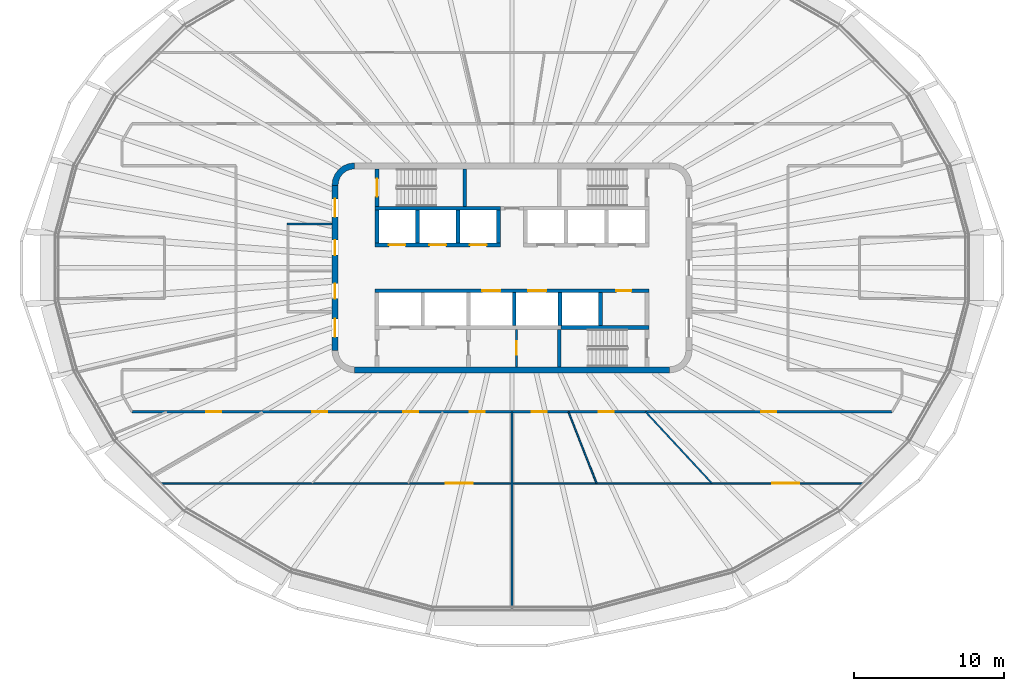
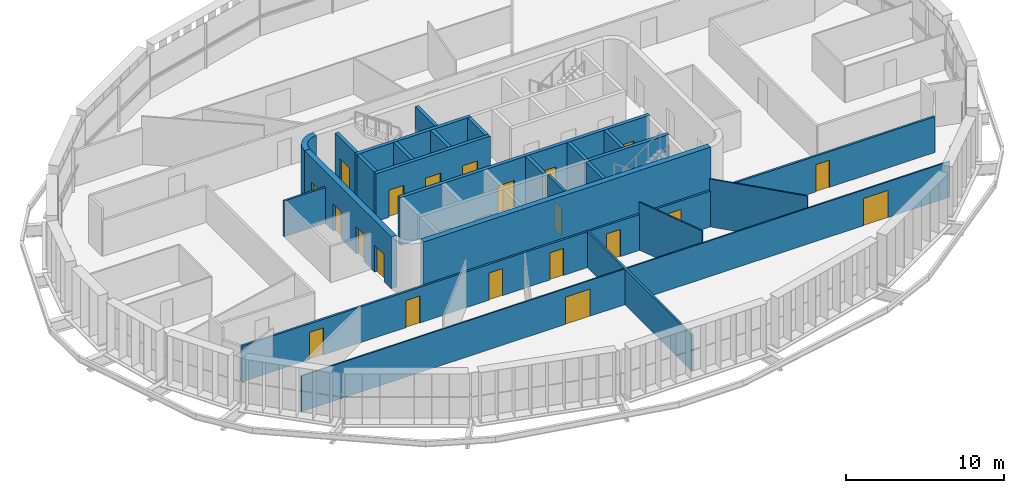
# One storey, part 11 of 20: 24 walls, 21 doors, 21 openings.
"""IFC4 building model written with IfcOpenShell, lengths in metres."""

from ifc_helpers import new_model, si_unit, direction, frame, frame_2d, origin, place, context, subcontext, project, spatial, polyline, rectangle, outline, extrude, material, layer, layer_set, type_object, element, fill, save


model = new_model("IFC4")

# Units and contexts
model_context = context("Model", 3, precision=1e-05, world=origin(), true_north=direction((0.0, 1.0)))
body_context = subcontext(model_context, "Body", "Model", "MODEL_VIEW")
ifc_project = project(units=[si_unit("LENGTHUNIT", "METRE"), si_unit("AREAUNIT", "SQUARE_METRE"), si_unit("VOLUMEUNIT", "CUBIC_METRE"), si_unit("PLANEANGLEUNIT", "RADIAN"), si_unit("MASSUNIT", "GRAM", prefix="KILO")], contexts=[model_context])

# Site, building, storey
site_placement = place(None, origin())
site = spatial("IfcSite", under=ifc_project, at=site_placement, CompositionType="ELEMENT")
building_placement = place(site_placement, origin())
building = spatial("IfcBuilding", under=site, at=building_placement, Name="Sahrelin Media Tower", CompositionType="ELEMENT")
storey_placement = place(building_placement, frame((0.0, 0.0, 245.60009765625)))
storey = spatial("IfcBuildingStorey", under=building, at=storey_placement, Name="L53", CompositionType="ELEMENT", Elevation=245.60009765625)

# Wall
ifc_material_1 = material(Name="Concrete C60/75", Category="concrete")
ifc_layer_1 = layer(ifc_material_1, 0.39990234375)
ifc_layer_set_1 = layer_set([ifc_layer_1], Name="Core wall 400")
wall_type_1 = type_object("IfcWallType", Name="Core wall 400", PredefinedType="SHEAR", material=ifc_layer_set_1)
wall_1_placement = place(storey_placement, frame((-10.5, -6.800048828125, 0.0), z_axis=(0.0, 0.0, 1.0), x_axis=(1.0, 0.0, 0.0)))
element("IfcWall", 1, at=wall_1_placement, inside=storey, type_object=wall_type_1, Name="Core wall S L53", PredefinedType="SHEAR", context=body_context, shape_type="SweptSolid", body=[
    extrude(rectangle(XDim=21.0, YDim=0.39990234375, at=frame_2d((10.5, 0.0))), origin(), (0.0, 0.0, 1.0), 4.0),
])

# Wall, openings, doors
wall_2_placement = place(storey_placement, frame((-11.800048828125, -5.5, 0.0), z_axis=(0.0, 0.0, 1.0), x_axis=(0.0, 1.0, 0.0)))
wall_2 = element("IfcWall", 2, at=wall_2_placement, inside=storey, type_object=wall_type_1, Name="Core wall W L53", PredefinedType="SHEAR", context=body_context, shape_type="SweptSolid", body=[
    extrude(rectangle(XDim=11.0, YDim=0.39990234375, at=frame_2d((5.5, 0.0))), origin(), (0.0, 0.0, 1.0), 4.0),
])
opening_1_placement = place(wall_2_placement, frame((3.449951171875, 0.0, 0.0)))
opening_1 = element("IfcOpeningElement", 3, at=opening_1_placement, cuts=wall_2, Name="Opening L53-D09", PredefinedType="OPENING", context=body_context, shape_type="SweptSolid", body=[
    extrude(rectangle(XDim=1.0, YDim=2.10009765625, at=frame_2d((0.5, 1.050048828125))), frame((0.0, 0.199951171875, 0.0), z_axis=(0.0, -1.0, 0.0), x_axis=(1.0, 0.0, 0.0)), (0.0, 0.0, 1.0), 0.39990234375),
])
opening_2_placement = place(wall_2_placement, frame((6.35009765625, 0.0, 0.0)))
opening_2 = element("IfcOpeningElement", 4, at=opening_2_placement, cuts=wall_2, Name="Opening L53-D10", PredefinedType="OPENING", context=body_context, shape_type="SweptSolid", body=[
    extrude(rectangle(XDim=1.0, YDim=2.10009765625, at=frame_2d((0.5, 1.050048828125))), frame((0.0, 0.199951171875, 0.0), z_axis=(0.0, -1.0, 0.0), x_axis=(1.0, 0.0, 0.0)), (0.0, 0.0, 1.0), 0.39990234375),
])
opening_3_placement = place(wall_2_placement, frame((0.89990234375, 0.0, 0.0)))
opening_3 = element("IfcOpeningElement", 5, at=opening_3_placement, cuts=wall_2, Name="Opening L53-D12", PredefinedType="OPENING", context=body_context, shape_type="SweptSolid", body=[
    extrude(rectangle(XDim=1.199951171875, YDim=2.10009765625, at=frame_2d((0.60009765625, 1.050048828125))), frame((0.0, 0.199951171875, 0.0), z_axis=(0.0, -1.0, 0.0), x_axis=(1.0, 0.0, 0.0)), (0.0, 0.0, 1.0), 0.39990234375),
])
opening_4_placement = place(wall_2_placement, frame((8.89990234375, 0.0, 0.0)))
opening_4 = element("IfcOpeningElement", 6, at=opening_4_placement, cuts=wall_2, Name="Opening L53-D13", PredefinedType="OPENING", context=body_context, shape_type="SweptSolid", body=[
    extrude(rectangle(XDim=1.199951171875, YDim=2.10009765625, at=frame_2d((0.60009765625, 1.050048828125))), frame((0.0, 0.199951171875, 0.0), z_axis=(0.0, -1.0, 0.0), x_axis=(1.0, 0.0, 0.0)), (0.0, 0.0, 1.0), 0.39990234375),
])
ifc_material_2 = material(Name="Steel fire door leaf", Category="steel")
door_type_1 = type_object("IfcDoorType", Name="Fire door 1000 x 2100 EI 60", OperationType="NOTDEFINED", PredefinedType="DOOR", material=ifc_material_2)
door_1_placement = place(opening_1_placement, origin())
door_1 = element("IfcDoor", 7, at=door_1_placement, inside=storey, type_object=door_type_1, Name="Core room door", OperationType="SINGLE_SWING_RIGHT", OverallHeight=2.10009765625, OverallWidth=1.0, PredefinedType="DOOR", context=body_context, shape_type="SweptSolid", body=[
    extrude(rectangle(XDim=1.0, YDim=2.10009765625, at=frame_2d((0.5, 1.050048828125))), frame((0.0, 0.02490234375, 0.0), z_axis=(0.0, -1.0, 0.0), x_axis=(1.0, 0.0, 0.0)), (0.0, 0.0, 1.0), 0.050048828125),
])
fill(opening_1, door_1)
door_2_placement = place(opening_2_placement, origin())
door_2 = element("IfcDoor", 8, at=door_2_placement, inside=storey, type_object=door_type_1, Name="Core room door", OperationType="SINGLE_SWING_RIGHT", OverallHeight=2.10009765625, OverallWidth=1.0, PredefinedType="DOOR", context=body_context, shape_type="SweptSolid", body=[
    extrude(rectangle(XDim=1.0, YDim=2.10009765625, at=frame_2d((0.5, 1.050048828125))), frame((0.0, 0.02490234375, 0.0), z_axis=(0.0, -1.0, 0.0), x_axis=(1.0, 0.0, 0.0)), (0.0, 0.0, 1.0), 0.050048828125),
])
fill(opening_2, door_2)
door_type_2 = type_object("IfcDoorType", Name="Lobby door 1200 x 2100 EI 60", OperationType="NOTDEFINED", PredefinedType="DOOR", material=ifc_material_2)
door_3_placement = place(opening_3_placement, origin())
door_3 = element("IfcDoor", 9, at=door_3_placement, inside=storey, type_object=door_type_2, Name="Lobby door", OperationType="SINGLE_SWING_LEFT", OverallHeight=2.10009765625, OverallWidth=1.199951171875, PredefinedType="DOOR", context=body_context, shape_type="SweptSolid", body=[
    extrude(rectangle(XDim=1.199951171875, YDim=2.10009765625, at=frame_2d((0.60009765625, 1.050048828125))), frame((0.0, 0.02490234375, 0.0), z_axis=(0.0, -1.0, 0.0), x_axis=(1.0, 0.0, 0.0)), (0.0, 0.0, 1.0), 0.050048828125),
])
fill(opening_3, door_3)
door_4_placement = place(opening_4_placement, origin())
door_4 = element("IfcDoor", 10, at=door_4_placement, inside=storey, type_object=door_type_2, Name="Lobby door", OperationType="SINGLE_SWING_LEFT", OverallHeight=2.10009765625, OverallWidth=1.199951171875, PredefinedType="DOOR", context=body_context, shape_type="SweptSolid", body=[
    extrude(rectangle(XDim=1.199951171875, YDim=2.10009765625, at=frame_2d((0.60009765625, 1.050048828125))), frame((0.0, 0.02490234375, 0.0), z_axis=(0.0, -1.0, 0.0), x_axis=(1.0, 0.0, 0.0)), (0.0, 0.0, 1.0), 0.050048828125),
])
fill(opening_4, door_4)

# Wall
wall_3_placement = place(storey_placement, origin())
element("IfcWall", 11, at=wall_3_placement, inside=storey, type_object=wall_type_1, Name="Core wall corner NW L53", PredefinedType="SHEAR", context=body_context, shape_type="SweptSolid", body=[
    extrude(outline(polyline([(-12.0, 5.5), (-11.596435546875, 5.5), (-11.55908203125, 5.78369140625), (-11.44970703125, 6.04833984375), (-11.275390625, 6.275390625), (-11.04833984375, 6.44970703125), (-10.78369140625, 6.55908203125), (-10.5, 6.596435546875), (-10.5, 7.0), (-10.88818359375, 6.948974609375), (-11.25, 6.799072265625), (-11.560791015625, 6.560791015625), (-11.799072265625, 6.25), (-11.948974609375, 5.88818359375), (-12.0, 5.5)])), origin(), (0.0, 0.0, 1.0), 4.0),
])

# Wall, opening, door
ifc_material_3 = material(Name="Fire-rated gypsum board partition")
ifc_layer_2 = layer(ifc_material_3, 0.14990234375)
ifc_layer_set_2 = layer_set([ifc_layer_2], Name="Fire-rated partition 150")
wall_type_2 = type_object("IfcWallType", Name="Fire-rated partition 150", PredefinedType="PARTITIONING", material=ifc_layer_set_2)
wall_4_placement = place(storey_placement, frame((0.300048828125, -6.60009765625, 0.0), z_axis=(0.0, 0.0, 1.0), x_axis=(0.0, 1.0, 0.0)))
wall_4 = element("IfcWall", 12, at=wall_4_placement, inside=storey, type_object=wall_type_2, Name="Core room fire partition", PredefinedType="PARTITIONING", context=body_context, shape_type="SweptSolid", body=[
    extrude(rectangle(XDim=2.5, YDim=0.14990234375, at=frame_2d((1.25, 0.0))), origin(), (0.0, 0.0, 1.0), 3.699951171875),
])
opening_5_placement = place(wall_4_placement, frame((0.800048828125, 0.0, 0.0)))
opening_5 = element("IfcOpeningElement", 13, at=opening_5_placement, cuts=wall_4, Name="Opening L53-D07", PredefinedType="OPENING", context=body_context, shape_type="SweptSolid", body=[
    extrude(rectangle(XDim=0.89990234375, YDim=2.10009765625, at=frame_2d((0.449951171875, 1.050048828125))), frame((0.0, 0.074951171875, 0.0), z_axis=(0.0, -1.0, 0.0), x_axis=(1.0, 0.0, 0.0)), (0.0, 0.0, 1.0), 0.14990234375),
])
door_type_3 = type_object("IfcDoorType", Name="Fire door 900 x 2100 EI 60", OperationType="NOTDEFINED", PredefinedType="DOOR", material=ifc_material_2)
door_5_placement = place(opening_5_placement, origin())
door_5 = element("IfcDoor", 14, at=door_5_placement, inside=storey, type_object=door_type_3, Name="Core room door", OperationType="SINGLE_SWING_RIGHT", OverallHeight=2.10009765625, OverallWidth=0.89990234375, PredefinedType="DOOR", context=body_context, shape_type="SweptSolid", body=[
    extrude(rectangle(XDim=0.89990234375, YDim=2.10009765625, at=frame_2d((0.449951171875, 1.050048828125))), frame((0.0, 0.02490234375, 0.0), z_axis=(0.0, -1.0, 0.0), x_axis=(1.0, 0.0, 0.0)), (0.0, 0.0, 1.0), 0.050048828125),
])
fill(opening_5, door_5)

# Wall
wall_5_placement = place(storey_placement, frame((-15.0, 2.925048828125, 0.0), z_axis=(0.0, 0.0, 1.0), x_axis=(1.0, 0.0, 0.0)))
element("IfcWall", 15, at=wall_5_placement, inside=storey, type_object=wall_type_2, Name="Core room fire partition", PredefinedType="PARTITIONING", context=body_context, shape_type="SweptSolid", body=[
    extrude(rectangle(XDim=3.0, YDim=0.14990234375, at=frame_2d((1.5, 0.0))), origin(), (0.0, 0.0, 1.0), 2.76806640625),
])

# Wall, openings, doors
wall_6_placement = place(storey_placement, frame((-25.3330078125, -9.60009765625, 0.0), z_axis=(0.0, 0.0, 1.0), x_axis=(1.0, 0.0, 0.0)))
wall_6 = element("IfcWall", 16, at=wall_6_placement, inside=storey, type_object=wall_type_2, Name="Wall", PredefinedType="PARTITIONING", context=body_context, shape_type="SweptSolid", body=[
    extrude(rectangle(XDim=50.666015625, YDim=0.14990234375, at=frame_2d((25.3330078125, 0.0))), origin(), (0.0, 0.0, 1.0), 2.76806640625),
])
opening_6_placement = place(wall_6_placement, frame((4.955810546875, 0.0, 0.0)))
opening_6 = element("IfcOpeningElement", 17, at=opening_6_placement, cuts=wall_6, Name="Opening L53-D26", PredefinedType="OPENING", context=body_context, shape_type="SweptSolid", body=[
    extrude(rectangle(XDim=1.0, YDim=2.10009765625, at=frame_2d((0.5, 1.050048828125))), frame((0.0, 0.074951171875, 0.0), z_axis=(0.0, -1.0, 0.0), x_axis=(1.0, 0.0, 0.0)), (0.0, 0.0, 1.0), 0.14990234375),
])
opening_7_placement = place(wall_6_placement, frame((12.015869140625, 0.0, 0.0)))
opening_7 = element("IfcOpeningElement", 18, at=opening_7_placement, cuts=wall_6, Name="Opening L53-D28", PredefinedType="OPENING", context=body_context, shape_type="SweptSolid", body=[
    extrude(rectangle(XDim=1.0, YDim=2.10009765625, at=frame_2d((0.5, 1.050048828125))), frame((0.0, 0.074951171875, 0.0), z_axis=(0.0, -1.0, 0.0), x_axis=(1.0, 0.0, 0.0)), (0.0, 0.0, 1.0), 0.14990234375),
])
opening_8_placement = place(wall_6_placement, frame((18.068115234375, 0.0, 0.0)))
opening_8 = element("IfcOpeningElement", 19, at=opening_8_placement, cuts=wall_6, Name="Opening L53-D29", PredefinedType="OPENING", context=body_context, shape_type="SweptSolid", body=[
    extrude(rectangle(XDim=1.0, YDim=2.10009765625, at=frame_2d((0.5, 1.050048828125))), frame((0.0, 0.074951171875, 0.0), z_axis=(0.0, -1.0, 0.0), x_axis=(1.0, 0.0, 0.0)), (0.0, 0.0, 1.0), 0.14990234375),
])
opening_9_placement = place(wall_6_placement, frame((22.521484375, 0.0, 0.0)))
opening_9 = element("IfcOpeningElement", 20, at=opening_9_placement, cuts=wall_6, Name="Opening L53-D30", PredefinedType="OPENING", context=body_context, shape_type="SweptSolid", body=[
    extrude(rectangle(XDim=1.0, YDim=2.10009765625, at=frame_2d((0.5, 1.050048828125))), frame((0.0, 0.074951171875, 0.0), z_axis=(0.0, -1.0, 0.0), x_axis=(1.0, 0.0, 0.0)), (0.0, 0.0, 1.0), 0.14990234375),
])
opening_10_placement = place(wall_6_placement, frame((26.664794921875, 0.0, 0.0)))
opening_10 = element("IfcOpeningElement", 21, at=opening_10_placement, cuts=wall_6, Name="Opening L53-D32", PredefinedType="OPENING", context=body_context, shape_type="SweptSolid", body=[
    extrude(rectangle(XDim=1.0, YDim=2.10009765625, at=frame_2d((0.5, 1.050048828125))), frame((0.0, 0.074951171875, 0.0), z_axis=(0.0, -1.0, 0.0), x_axis=(1.0, 0.0, 0.0)), (0.0, 0.0, 1.0), 0.14990234375),
])
opening_11_placement = place(wall_6_placement, frame((31.119873046875, 0.0, 0.0)))
opening_11 = element("IfcOpeningElement", 22, at=opening_11_placement, cuts=wall_6, Name="Opening L53-D33", PredefinedType="OPENING", context=body_context, shape_type="SweptSolid", body=[
    extrude(rectangle(XDim=1.0, YDim=2.10009765625, at=frame_2d((0.5, 1.050048828125))), frame((0.0, 0.074951171875, 0.0), z_axis=(0.0, -1.0, 0.0), x_axis=(1.0, 0.0, 0.0)), (0.0, 0.0, 1.0), 0.14990234375),
])
opening_12_placement = place(wall_6_placement, frame((41.952880859375, 0.0, 0.0)))
opening_12 = element("IfcOpeningElement", 23, at=opening_12_placement, cuts=wall_6, Name="Opening L53-D34", PredefinedType="OPENING", context=body_context, shape_type="SweptSolid", body=[
    extrude(rectangle(XDim=1.0, YDim=2.10009765625, at=frame_2d((0.5, 1.050048828125))), frame((0.0, 0.074951171875, 0.0), z_axis=(0.0, -1.0, 0.0), x_axis=(1.0, 0.0, 0.0)), (0.0, 0.0, 1.0), 0.14990234375),
])
door_6_placement = place(opening_6_placement, origin())
door_6 = element("IfcDoor", 24, at=door_6_placement, inside=storey, type_object=door_type_1, Name="Fire door", OperationType="SINGLE_SWING_LEFT", OverallHeight=2.10009765625, OverallWidth=1.0, PredefinedType="DOOR", context=body_context, shape_type="SweptSolid", body=[
    extrude(rectangle(XDim=1.0, YDim=2.10009765625, at=frame_2d((0.5, 1.050048828125))), frame((0.0, 0.02490234375, 0.0), z_axis=(0.0, -1.0, 0.0), x_axis=(1.0, 0.0, 0.0)), (0.0, 0.0, 1.0), 0.050048828125),
])
fill(opening_6, door_6)
door_7_placement = place(opening_7_placement, origin())
door_7 = element("IfcDoor", 25, at=door_7_placement, inside=storey, type_object=door_type_1, Name="Fire door", OperationType="SINGLE_SWING_RIGHT", OverallHeight=2.10009765625, OverallWidth=1.0, PredefinedType="DOOR", context=body_context, shape_type="SweptSolid", body=[
    extrude(rectangle(XDim=1.0, YDim=2.10009765625, at=frame_2d((0.5, 1.050048828125))), frame((0.0, 0.02490234375, 0.0), z_axis=(0.0, -1.0, 0.0), x_axis=(1.0, 0.0, 0.0)), (0.0, 0.0, 1.0), 0.050048828125),
])
fill(opening_7, door_7)
door_8_placement = place(opening_8_placement, origin())
door_8 = element("IfcDoor", 26, at=door_8_placement, inside=storey, type_object=door_type_1, Name="Fire door", OperationType="SINGLE_SWING_RIGHT", OverallHeight=2.10009765625, OverallWidth=1.0, PredefinedType="DOOR", context=body_context, shape_type="SweptSolid", body=[
    extrude(rectangle(XDim=1.0, YDim=2.10009765625, at=frame_2d((0.5, 1.050048828125))), frame((0.0, 0.02490234375, 0.0), z_axis=(0.0, -1.0, 0.0), x_axis=(1.0, 0.0, 0.0)), (0.0, 0.0, 1.0), 0.050048828125),
])
fill(opening_8, door_8)
door_9_placement = place(opening_9_placement, origin())
door_9 = element("IfcDoor", 27, at=door_9_placement, inside=storey, type_object=door_type_1, Name="Fire door", OperationType="SINGLE_SWING_LEFT", OverallHeight=2.10009765625, OverallWidth=1.0, PredefinedType="DOOR", context=body_context, shape_type="SweptSolid", body=[
    extrude(rectangle(XDim=1.0, YDim=2.10009765625, at=frame_2d((0.5, 1.050048828125))), frame((0.0, 0.02490234375, 0.0), z_axis=(0.0, -1.0, 0.0), x_axis=(1.0, 0.0, 0.0)), (0.0, 0.0, 1.0), 0.050048828125),
])
fill(opening_9, door_9)
door_10_placement = place(opening_10_placement, origin())
door_10 = element("IfcDoor", 28, at=door_10_placement, inside=storey, type_object=door_type_1, Name="Fire door", OperationType="SINGLE_SWING_RIGHT", OverallHeight=2.10009765625, OverallWidth=1.0, PredefinedType="DOOR", context=body_context, shape_type="SweptSolid", body=[
    extrude(rectangle(XDim=1.0, YDim=2.10009765625, at=frame_2d((0.5, 1.050048828125))), frame((0.0, 0.02490234375, 0.0), z_axis=(0.0, -1.0, 0.0), x_axis=(1.0, 0.0, 0.0)), (0.0, 0.0, 1.0), 0.050048828125),
])
fill(opening_10, door_10)
door_11_placement = place(opening_11_placement, origin())
door_11 = element("IfcDoor", 29, at=door_11_placement, inside=storey, type_object=door_type_1, Name="Fire door", OperationType="SINGLE_SWING_LEFT", OverallHeight=2.10009765625, OverallWidth=1.0, PredefinedType="DOOR", context=body_context, shape_type="SweptSolid", body=[
    extrude(rectangle(XDim=1.0, YDim=2.10009765625, at=frame_2d((0.5, 1.050048828125))), frame((0.0, 0.02490234375, 0.0), z_axis=(0.0, -1.0, 0.0), x_axis=(1.0, 0.0, 0.0)), (0.0, 0.0, 1.0), 0.050048828125),
])
fill(opening_11, door_11)
door_12_placement = place(opening_12_placement, origin())
door_12 = element("IfcDoor", 30, at=door_12_placement, inside=storey, type_object=door_type_1, Name="Fire door", OperationType="SINGLE_SWING_RIGHT", OverallHeight=2.10009765625, OverallWidth=1.0, PredefinedType="DOOR", context=body_context, shape_type="SweptSolid", body=[
    extrude(rectangle(XDim=1.0, YDim=2.10009765625, at=frame_2d((0.5, 1.050048828125))), frame((0.0, 0.02490234375, 0.0), z_axis=(0.0, -1.0, 0.0), x_axis=(1.0, 0.0, 0.0)), (0.0, 0.0, 1.0), 0.050048828125),
])
fill(opening_12, door_12)

# Wall
wall_7_placement = place(storey_placement, frame((0.0, -22.85009765625, 0.0), z_axis=(0.0, 0.0, 1.0), x_axis=(0.0, 1.0, 0.0)))
element("IfcWall", 31, at=wall_7_placement, inside=storey, type_object=wall_type_2, Name="Wall", PredefinedType="PARTITIONING", context=body_context, shape_type="SweptSolid", body=[
    extrude(rectangle(XDim=13.25, YDim=0.14990234375, at=frame_2d((6.625, 0.0))), origin(), (0.0, 0.0, 1.0), 2.76806640625),
])

# Wall, openings, doors
ifc_layer_3 = layer(ifc_material_1, 0.25)
ifc_layer_set_3 = layer_set([ifc_layer_3], Name="Lift shaft wall 250")
wall_type_3 = type_object("IfcWallType", Name="Lift shaft wall 250", PredefinedType="SOLIDWALL", material=ifc_layer_set_3)
wall_8_placement = place(storey_placement, frame((-9.125, 1.52490234375, 0.0), z_axis=(0.0, 0.0, 1.0), x_axis=(1.0, 0.0, 0.0)))
wall_8 = element("IfcWall", 32, at=wall_8_placement, inside=storey, type_object=wall_type_3, Name="Lift shaft wall", PredefinedType="SOLIDWALL", context=body_context, shape_type="SweptSolid", body=[
    extrude(rectangle(XDim=8.35009765625, YDim=0.25, at=frame_2d((4.175048828125, 0.0))), origin(), (0.0, 0.0, 1.0), 3.699951171875),
])
opening_13_placement = place(wall_8_placement, frame((0.925048828125, 0.0, 0.0)))
opening_13 = element("IfcOpeningElement", 33, at=opening_13_placement, cuts=wall_8, Name="Opening L53-LD-HR1", PredefinedType="OPENING", context=body_context, shape_type="SweptSolid", body=[
    extrude(rectangle(XDim=1.10009765625, YDim=2.10009765625, at=frame_2d((0.550048828125, 1.050048828125))), frame((0.0, 0.125, 0.0), z_axis=(0.0, -1.0, 0.0), x_axis=(1.0, 0.0, 0.0)), (0.0, 0.0, 1.0), 0.25),
])
opening_14_placement = place(wall_8_placement, frame((3.625, 0.0, 0.0)))
opening_14 = element("IfcOpeningElement", 34, at=opening_14_placement, cuts=wall_8, Name="Opening L53-LD-HR2", PredefinedType="OPENING", context=body_context, shape_type="SweptSolid", body=[
    extrude(rectangle(XDim=1.10009765625, YDim=2.10009765625, at=frame_2d((0.550048828125, 1.050048828125))), frame((0.0, 0.125, 0.0), z_axis=(0.0, -1.0, 0.0), x_axis=(1.0, 0.0, 0.0)), (0.0, 0.0, 1.0), 0.25),
])
opening_15_placement = place(wall_8_placement, frame((6.324951171875, 0.0, 0.0)))
opening_15 = element("IfcOpeningElement", 35, at=opening_15_placement, cuts=wall_8, Name="Opening L53-LD-HR3", PredefinedType="OPENING", context=body_context, shape_type="SweptSolid", body=[
    extrude(rectangle(XDim=1.10009765625, YDim=2.10009765625, at=frame_2d((0.550048828125, 1.050048828125))), frame((0.0, 0.125, 0.0), z_axis=(0.0, -1.0, 0.0), x_axis=(1.0, 0.0, 0.0)), (0.0, 0.0, 1.0), 0.25),
])
ifc_material_4 = material(Name="Stainless steel", Category="steel")
door_type_4 = type_object("IfcDoorType", Name="Lift landing door 1100 x 2100 EI 120", OperationType="DOUBLE_DOOR_SLIDING", PredefinedType="DOOR", material=ifc_material_4)
door_13_placement = place(opening_13_placement, origin())
door_13 = element("IfcDoor", 36, at=door_13_placement, inside=storey, type_object=door_type_4, Name="Lift landing door HR1", OperationType="DOUBLE_DOOR_SLIDING", OverallHeight=2.10009765625, OverallWidth=1.10009765625, PredefinedType="DOOR", context=body_context, shape_type="SweptSolid", body=[
    extrude(rectangle(XDim=1.10009765625, YDim=2.10009765625, at=frame_2d((0.550048828125, 1.050048828125))), frame((0.0, 0.02490234375, 0.0), z_axis=(0.0, -1.0, 0.0), x_axis=(1.0, 0.0, 0.0)), (0.0, 0.0, 1.0), 0.050048828125),
])
fill(opening_13, door_13)
door_14_placement = place(opening_14_placement, origin())
door_14 = element("IfcDoor", 37, at=door_14_placement, inside=storey, type_object=door_type_4, Name="Lift landing door HR2", OperationType="DOUBLE_DOOR_SLIDING", OverallHeight=2.10009765625, OverallWidth=1.10009765625, PredefinedType="DOOR", context=body_context, shape_type="SweptSolid", body=[
    extrude(rectangle(XDim=1.10009765625, YDim=2.10009765625, at=frame_2d((0.550048828125, 1.050048828125))), frame((0.0, 0.02490234375, 0.0), z_axis=(0.0, -1.0, 0.0), x_axis=(1.0, 0.0, 0.0)), (0.0, 0.0, 1.0), 0.050048828125),
])
fill(opening_14, door_14)
door_15_placement = place(opening_15_placement, origin())
door_15 = element("IfcDoor", 38, at=door_15_placement, inside=storey, type_object=door_type_4, Name="Lift landing door HR3", OperationType="DOUBLE_DOOR_SLIDING", OverallHeight=2.10009765625, OverallWidth=1.10009765625, PredefinedType="DOOR", context=body_context, shape_type="SweptSolid", body=[
    extrude(rectangle(XDim=1.10009765625, YDim=2.10009765625, at=frame_2d((0.550048828125, 1.050048828125))), frame((0.0, 0.02490234375, 0.0), z_axis=(0.0, -1.0, 0.0), x_axis=(1.0, 0.0, 0.0)), (0.0, 0.0, 1.0), 0.050048828125),
])
fill(opening_15, door_15)

# Walls
wall_9_placement = place(storey_placement, frame((-9.125, 3.97509765625, 0.0), z_axis=(0.0, 0.0, 1.0), x_axis=(1.0, 0.0, 0.0)))
element("IfcWall", 39, at=wall_9_placement, inside=storey, type_object=wall_type_3, Name="Lift shaft wall", PredefinedType="SOLIDWALL", context=body_context, shape_type="SweptSolid", body=[
    extrude(rectangle(XDim=8.35009765625, YDim=0.25, at=frame_2d((4.175048828125, 0.0))), origin(), (0.0, 0.0, 1.0), 3.699951171875),
])
for number, where, z_axis, x_axis, name in (
    (40, (-9.0, 1.64990234375, 0.0), (0.0, 0.0, 1.0), (0.0, 1.0, 0.0), "Lift shaft wall"),
    (41, (-6.300048828125, 1.64990234375, 0.0), (0.0, 0.0, 1.0), (0.0, 1.0, 0.0), "Lift shaft wall"),
    (42, (-3.60009765625, 1.64990234375, 0.0), (0.0, 0.0, 1.0), (0.0, 1.0, 0.0), "Lift shaft wall"),
    (43, (-0.89990234375, 1.64990234375, 0.0), (0.0, 0.0, 1.0), (0.0, 1.0, 0.0), "Lift shaft wall"),
):
    element("IfcWall", number, at=place(storey_placement, frame(where, z_axis=z_axis, x_axis=x_axis)), inside=storey, type_object=wall_type_3, Name=name, PredefinedType="SOLIDWALL", context=body_context, shape_type="SweptSolid", body=[
        extrude(rectangle(XDim=2.2001953125, YDim=0.25, at=frame_2d((1.10009765625, 0.0))), origin(), (0.0, 0.0, 1.0), 3.699951171875),
    ])

# Wall, openings, doors
wall_10_placement = place(storey_placement, frame((-9.125, -1.52490234375, 0.0), z_axis=(0.0, 0.0, 1.0), x_axis=(1.0, 0.0, 0.0)))
wall_10 = element("IfcWall", 44, at=wall_10_placement, inside=storey, type_object=wall_type_3, Name="Lift shaft wall", PredefinedType="SOLIDWALL", context=body_context, shape_type="SweptSolid", body=[
    extrude(rectangle(XDim=18.25, YDim=0.25, at=frame_2d((9.125, 0.0))), origin(), (0.0, 0.0, 1.0), 3.699951171875),
])
opening_16_placement = place(wall_10_placement, frame((7.14990234375, 0.0, 0.0)))
opening_16 = element("IfcOpeningElement", 45, at=opening_16_placement, cuts=wall_10, Name="Opening L53-LD-SV1", PredefinedType="OPENING", context=body_context, shape_type="SweptSolid", body=[
    extrude(rectangle(XDim=1.199951171875, YDim=2.10009765625, at=frame_2d((0.60009765625, 1.050048828125))), frame((0.0, 0.125, 0.0), z_axis=(0.0, -1.0, 0.0), x_axis=(1.0, 0.0, 0.0)), (0.0, 0.0, 1.0), 0.25),
])
opening_17_placement = place(wall_10_placement, frame((10.199951171875, 0.0, 0.0)))
opening_17 = element("IfcOpeningElement", 46, at=opening_17_placement, cuts=wall_10, Name="Opening L53-LD-SV2", PredefinedType="OPENING", context=body_context, shape_type="SweptSolid", body=[
    extrude(rectangle(XDim=1.199951171875, YDim=2.10009765625, at=frame_2d((0.60009765625, 1.050048828125))), frame((0.0, 0.125, 0.0), z_axis=(0.0, -1.0, 0.0), x_axis=(1.0, 0.0, 0.0)), (0.0, 0.0, 1.0), 0.25),
])
opening_18_placement = place(wall_10_placement, frame((16.074951171875, 0.0, 0.0)))
opening_18 = element("IfcOpeningElement", 47, at=opening_18_placement, cuts=wall_10, Name="Opening L53-D08", PredefinedType="OPENING", context=body_context, shape_type="SweptSolid", body=[
    extrude(rectangle(XDim=1.0, YDim=2.10009765625, at=frame_2d((0.5, 1.050048828125))), frame((0.0, 0.125, 0.0), z_axis=(0.0, -1.0, 0.0), x_axis=(1.0, 0.0, 0.0)), (0.0, 0.0, 1.0), 0.25),
])
door_16_placement = place(opening_18_placement, origin())
door_16 = element("IfcDoor", 48, at=door_16_placement, inside=storey, type_object=door_type_1, Name="Core room door", OperationType="SINGLE_SWING_RIGHT", OverallHeight=2.10009765625, OverallWidth=1.0, PredefinedType="DOOR", context=body_context, shape_type="SweptSolid", body=[
    extrude(rectangle(XDim=1.0, YDim=2.10009765625, at=frame_2d((0.5, 1.050048828125))), frame((0.0, 0.02490234375, 0.0), z_axis=(0.0, -1.0, 0.0), x_axis=(1.0, 0.0, 0.0)), (0.0, 0.0, 1.0), 0.050048828125),
])
fill(opening_18, door_16)
door_type_5 = type_object("IfcDoorType", Name="Lift landing door 1200 x 2100 EI 120", OperationType="DOUBLE_DOOR_SLIDING", PredefinedType="DOOR", material=ifc_material_4)
door_17_placement = place(opening_16_placement, origin())
door_17 = element("IfcDoor", 49, at=door_17_placement, inside=storey, type_object=door_type_5, Name="Lift landing door SV1", OperationType="DOUBLE_DOOR_SLIDING", OverallHeight=2.10009765625, OverallWidth=1.199951171875, PredefinedType="DOOR", context=body_context, shape_type="SweptSolid", body=[
    extrude(rectangle(XDim=1.199951171875, YDim=2.10009765625, at=frame_2d((0.60009765625, 1.050048828125))), frame((0.0, 0.02490234375, 0.0), z_axis=(0.0, -1.0, 0.0), x_axis=(1.0, 0.0, 0.0)), (0.0, 0.0, 1.0), 0.050048828125),
])
fill(opening_16, door_17)
door_18_placement = place(opening_17_placement, origin())
door_18 = element("IfcDoor", 50, at=door_18_placement, inside=storey, type_object=door_type_5, Name="Lift landing door SV2", OperationType="DOUBLE_DOOR_SLIDING", OverallHeight=2.10009765625, OverallWidth=1.199951171875, PredefinedType="DOOR", context=body_context, shape_type="SweptSolid", body=[
    extrude(rectangle(XDim=1.199951171875, YDim=2.10009765625, at=frame_2d((0.60009765625, 1.050048828125))), frame((0.0, 0.02490234375, 0.0), z_axis=(0.0, -1.0, 0.0), x_axis=(1.0, 0.0, 0.0)), (0.0, 0.0, 1.0), 0.050048828125),
])
fill(opening_17, door_18)

# Walls
wall_11_placement = place(storey_placement, frame((3.27490234375, -3.97509765625, 0.0), z_axis=(0.0, 0.0, 1.0), x_axis=(1.0, 0.0, 0.0)))
element("IfcWall", 51, at=wall_11_placement, inside=storey, type_object=wall_type_3, Name="Lift shaft wall", PredefinedType="SOLIDWALL", context=body_context, shape_type="SweptSolid", body=[
    extrude(rectangle(XDim=5.85009765625, YDim=0.25, at=frame_2d((2.925048828125, 0.0))), origin(), (0.0, 0.0, 1.0), 3.699951171875),
])
for number, where, z_axis, x_axis, name in (
    (52, (0.14990234375, -3.85009765625, 0.0), (0.0, 0.0, 1.0), (0.0, 1.0, 0.0), "Lift shaft wall"),
    (53, (3.199951171875, -3.85009765625, 0.0), (0.0, 0.0, 1.0), (0.0, 1.0, 0.0), "Lift shaft wall"),
    (54, (5.89990234375, -3.85009765625, 0.0), (0.0, 0.0, 1.0), (0.0, 1.0, 0.0), "Lift shaft wall"),
):
    element("IfcWall", number, at=place(storey_placement, frame(where, z_axis=z_axis, x_axis=x_axis)), inside=storey, type_object=wall_type_3, Name=name, PredefinedType="SOLIDWALL", context=body_context, shape_type="SweptSolid", body=[
        extrude(rectangle(XDim=2.2001953125, YDim=0.25, at=frame_2d((1.10009765625, 0.0))), origin(), (0.0, 0.0, 1.0), 3.699951171875),
    ])
ifc_material_5 = material(Name="Gypsum board partition")
ifc_layer_4 = layer(ifc_material_5, 0.10009765625)
ifc_layer_set_4 = layer_set([ifc_layer_4], Name="Partition 100")
wall_type_4 = type_object("IfcWallType", Name="Partition 100", PredefinedType="PARTITIONING", material=ifc_layer_set_4)
wall_12_placement = place(storey_placement, frame((3.76806640625, -9.60009765625, 0.0), z_axis=(0.0, 0.0, 1.0), x_axis=(0.365299294679, -0.93089012526, 0.0)))
element("IfcWall", 55, at=wall_12_placement, inside=storey, type_object=wall_type_4, Name="Wall", PredefinedType="PARTITIONING", context=body_context, shape_type="SweptSolid", body=[
    extrude(rectangle(XDim=5.11328125, YDim=0.10009765625, at=frame_2d((2.556640625, 0.0))), origin(), (0.0, 0.0, 1.0), 3.699951171875),
])
wall_13_placement = place(storey_placement, frame((8.906982421875, -9.60009765625, 0.0), z_axis=(0.0, 0.0, 1.0), x_axis=(0.680201581888, -0.733025107344, 0.0)))
element("IfcWall", 56, at=wall_13_placement, inside=storey, type_object=wall_type_4, Name="Wall", PredefinedType="PARTITIONING", context=body_context, shape_type="SweptSolid", body=[
    extrude(rectangle(XDim=6.49365234375, YDim=0.10009765625, at=frame_2d((3.246826171875, 0.0))), origin(), (0.0, 0.0, 1.0), 3.699951171875),
])

# Wall, openings, doors
wall_14_placement = place(storey_placement, frame((-23.7099609375, -14.360107421875, 0.0), z_axis=(0.0, 0.0, 1.0), x_axis=(1.0, 0.0, 0.0)))
wall_14 = element("IfcWall", 57, at=wall_14_placement, inside=storey, type_object=wall_type_4, Name="Wall", PredefinedType="PARTITIONING", context=body_context, shape_type="SweptSolid", body=[
    extrude(rectangle(XDim=47.419921875, YDim=0.10009765625, at=frame_2d((23.7099609375, 0.0))), origin(), (0.0, 0.0, 1.0), 2.76806640625),
])
opening_19_placement = place(wall_14_placement, frame((19.30224609375, 0.0, 0.0)))
opening_19 = element("IfcOpeningElement", 58, at=opening_19_placement, cuts=wall_14, Name="Opening L53-D31", PredefinedType="OPENING", context=body_context, shape_type="SweptSolid", body=[
    extrude(rectangle(XDim=1.800048828125, YDim=2.10009765625, at=frame_2d((0.89990234375, 1.050048828125))), frame((0.0, 0.050048828125, 0.0), z_axis=(0.0, -1.0, 0.0), x_axis=(1.0, 0.0, 0.0)), (0.0, 0.0, 1.0), 0.10009765625),
])
opening_20_placement = place(wall_14_placement, frame((41.07421875, 0.0, 0.0)))
opening_20 = element("IfcOpeningElement", 59, at=opening_20_placement, cuts=wall_14, Name="Opening L53-D35", PredefinedType="OPENING", context=body_context, shape_type="SweptSolid", body=[
    extrude(rectangle(XDim=1.800048828125, YDim=2.10009765625, at=frame_2d((0.89990234375, 1.050048828125))), frame((0.0, 0.050048828125, 0.0), z_axis=(0.0, -1.0, 0.0), x_axis=(1.0, 0.0, 0.0)), (0.0, 0.0, 1.0), 0.10009765625),
])
ifc_material_6 = material(Name="Timber door leaf", Category="wood")
door_type_6 = type_object("IfcDoorType", Name="Double door 1800 x 2100", OperationType="DOUBLE_DOOR_SINGLE_SWING", PredefinedType="DOOR", material=ifc_material_6)
door_19_placement = place(opening_19_placement, origin())
door_19 = element("IfcDoor", 60, at=door_19_placement, inside=storey, type_object=door_type_6, Name="Double door", OperationType="DOUBLE_DOOR_SINGLE_SWING", OverallHeight=2.10009765625, OverallWidth=1.800048828125, PredefinedType="DOOR", context=body_context, shape_type="SweptSolid", body=[
    extrude(rectangle(XDim=1.800048828125, YDim=2.10009765625, at=frame_2d((0.89990234375, 1.050048828125))), frame((0.0, 0.02490234375, 0.0), z_axis=(0.0, -1.0, 0.0), x_axis=(1.0, 0.0, 0.0)), (0.0, 0.0, 1.0), 0.050048828125),
])
fill(opening_19, door_19)
door_20_placement = place(opening_20_placement, origin())
door_20 = element("IfcDoor", 61, at=door_20_placement, inside=storey, type_object=door_type_6, Name="Double door", OperationType="DOUBLE_DOOR_SINGLE_SWING", OverallHeight=2.10009765625, OverallWidth=1.800048828125, PredefinedType="DOOR", context=body_context, shape_type="SweptSolid", body=[
    extrude(rectangle(XDim=1.800048828125, YDim=2.10009765625, at=frame_2d((0.89990234375, 1.050048828125))), frame((0.0, 0.02490234375, 0.0), z_axis=(0.0, -1.0, 0.0), x_axis=(1.0, 0.0, 0.0)), (0.0, 0.0, 1.0), 0.050048828125),
])
fill(opening_20, door_20)

# Wall, opening, door
ifc_layer_5 = layer(ifc_material_1, 0.25)
ifc_layer_set_5 = layer_set([ifc_layer_5], Name="Stair enclosure wall 250")
wall_type_5 = type_object("IfcWallType", Name="Stair enclosure wall 250", PredefinedType="SOLIDWALL", material=ifc_layer_set_5)
wall_15_placement = place(storey_placement, frame((-9.0, 4.10009765625, 0.0), z_axis=(0.0, 0.0, 1.0), x_axis=(0.0, 1.0, 0.0)))
wall_15 = element("IfcWall", 62, at=wall_15_placement, inside=storey, type_object=wall_type_5, Name="Stair enclosure wall", PredefinedType="SOLIDWALL", context=body_context, shape_type="SweptSolid", body=[
    extrude(rectangle(XDim=2.5, YDim=0.25, at=frame_2d((1.25, 0.0))), origin(), (0.0, 0.0, 1.0), 3.699951171875),
])
opening_21_placement = place(wall_15_placement, frame((0.64990234375, 0.0, 0.0)))
opening_21 = element("IfcOpeningElement", 63, at=opening_21_placement, cuts=wall_15, Name="Opening L53-D01", PredefinedType="OPENING", context=body_context, shape_type="SweptSolid", body=[
    extrude(rectangle(XDim=1.199951171875, YDim=2.10009765625, at=frame_2d((0.60009765625, 1.050048828125))), frame((0.0, 0.125, 0.0), z_axis=(0.0, -1.0, 0.0), x_axis=(1.0, 0.0, 0.0)), (0.0, 0.0, 1.0), 0.25),
])
door_type_7 = type_object("IfcDoorType", Name="Stair door 1200 x 2100 EI 120", OperationType="NOTDEFINED", PredefinedType="DOOR", material=ifc_material_2)
door_21_placement = place(opening_21_placement, origin())
door_21 = element("IfcDoor", 64, at=door_21_placement, inside=storey, type_object=door_type_7, Name="Stair door ST1", OperationType="SINGLE_SWING_RIGHT", OverallHeight=2.10009765625, OverallWidth=1.199951171875, PredefinedType="DOOR", context=body_context, shape_type="SweptSolid", body=[
    extrude(rectangle(XDim=1.199951171875, YDim=2.10009765625, at=frame_2d((0.60009765625, 1.050048828125))), frame((0.0, 0.02490234375, 0.0), z_axis=(0.0, -1.0, 0.0), x_axis=(1.0, 0.0, 0.0)), (0.0, 0.0, 1.0), 0.050048828125),
])
fill(opening_21, door_21)

# Walls
for number, where, z_axis, x_axis, name in (
    (65, (-3.14990234375, 4.10009765625, 0.0), (0.0, 0.0, 1.0), (0.0, 1.0, 0.0), "Stair enclosure wall"),
    (66, (3.14990234375, -6.60009765625, 0.0), (0.0, 0.0, 1.0), (0.0, 1.0, 0.0), "Stair enclosure wall"),
):
    element("IfcWall", number, at=place(storey_placement, frame(where, z_axis=z_axis, x_axis=x_axis)), inside=storey, type_object=wall_type_5, Name=name, PredefinedType="SOLIDWALL", context=body_context, shape_type="SweptSolid", body=[
        extrude(rectangle(XDim=2.5, YDim=0.25, at=frame_2d((1.25, 0.0))), origin(), (0.0, 0.0, 1.0), 3.699951171875),
    ])

save(model, "model.ifc")
